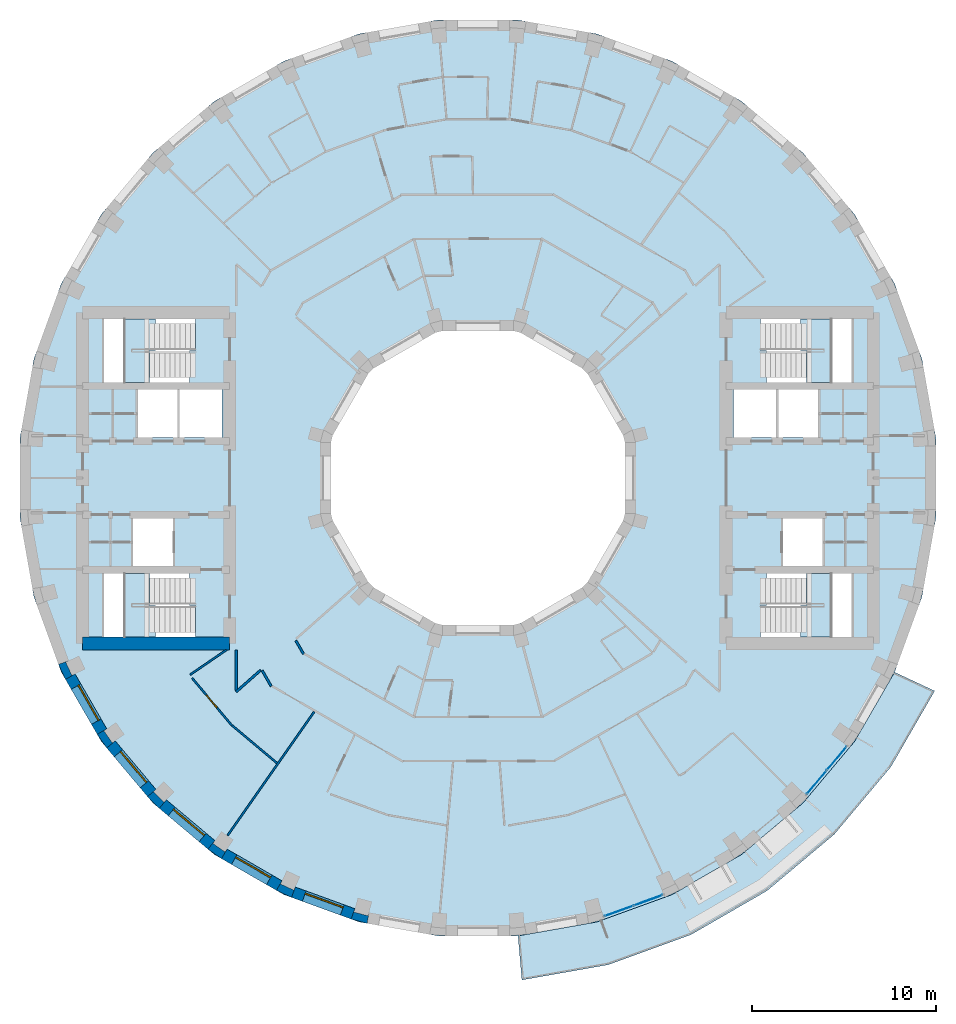
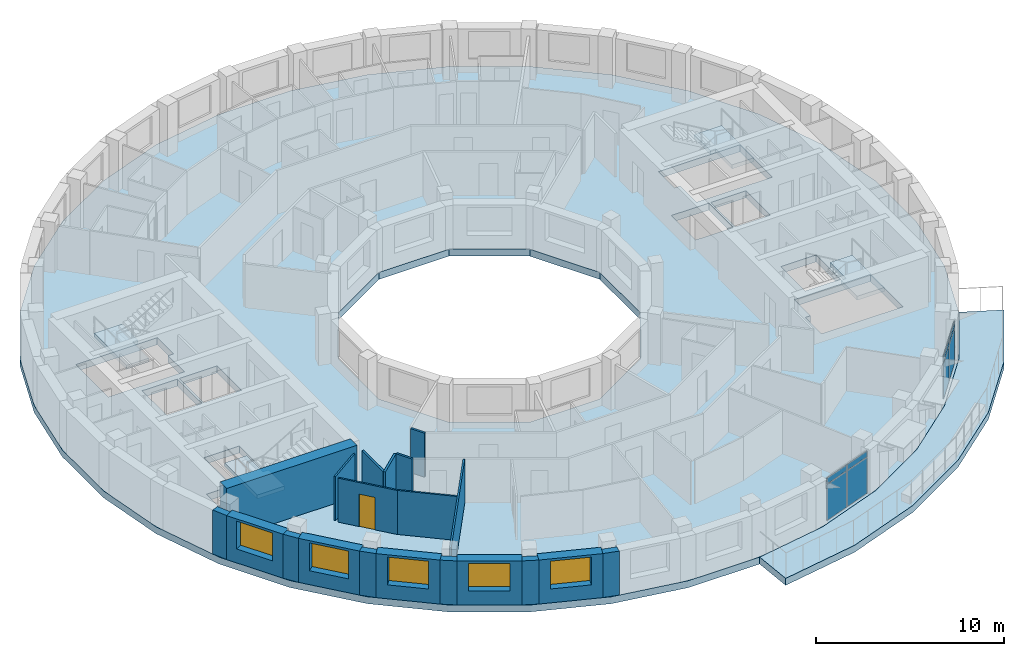
# One storey, part 5 of 15: 20 walls, 8 plates, 6 slabs, 5 windows, 1 door, 6 openings, 6 elements without a shape of their own.
"""IFC4 building model written with IfcOpenShell, lengths in metres."""

import ifcopenshell
import ifcopenshell.guid

model = None  # the IFC model being written
_history = None  # IfcOwnerHistory: only IFC2X3 demands one
_inside = {}  # id of a spatial element -> (the spatial element, [elements in it])
_under = {}  # id of a project, library or spatial element -> (it, [spatial elements below it])
_declared = {}  # id of a project -> (the project, [libraries it declares])
_typed = {}  # id of a type object -> (the type object, [elements of that type])
_made_of = {}  # id of a material, layer set ... -> (it, [elements and type objects made of it])


def new_model(schema):
    """Start an empty IFC model of exactly this schema.

    Asked for "IFC4X3", IfcOpenShell would pick the latest addendum, in which some entities
    have other attributes; the version numbers below select the first issue.
    IFC2X3 requires an IfcOwnerHistory on every rooted entity: one is made here for all.
    """
    global model, _history
    if schema == "IFC4X3":
        model = ifcopenshell.file(schema_version=(4, 3, 0, 0))
    else:
        model = ifcopenshell.file(schema=schema)
    _inside.clear()
    _under.clear()
    _declared.clear()
    _typed.clear()
    _made_of.clear()
    _history = None
    if model.schema == "IFC2X3":
        org = make("IfcOrganization", Name="unknown")
        user = make(
            "IfcPersonAndOrganization",
            ThePerson=make("IfcPerson", FamilyName="unknown"),
            TheOrganization=org,
        )
        app = make(
            "IfcApplication",
            ApplicationDeveloper=org,
            Version="unknown",
            ApplicationFullName="unknown",
            ApplicationIdentifier="unknown",
        )
        _history = make(
            "IfcOwnerHistory",
            OwningUser=user,
            OwningApplication=app,
            ChangeAction="ADDED",
            CreationDate=0,
        )
    return model


def make(cls, **values):
    """One entity of the class cls with the attributes given. An attribute that is None is left unset."""
    return model.create_entity(
        cls, **{name: value for name, value in values.items() if value is not None}
    )


def rooted(cls, **values):
    """An entity with a GlobalId (a new one), such as an element, a storey or a relation."""
    return make(cls, GlobalId=ifcopenshell.guid.new(), OwnerHistory=_history, **values)


def si_unit(unit_type, name, prefix=None):
    """IfcSIUnit, for example si_unit("LENGTHUNIT", "METRE", prefix="MILLI")."""
    return make("IfcSIUnit", UnitType=unit_type, Prefix=prefix, Name=name)


def assignment(units):
    """IfcUnitAssignment: the units of a project."""
    return None if units is None else make("IfcUnitAssignment", Units=units)


def point(xyz):
    """IfcCartesianPoint."""
    return None if xyz is None else make("IfcCartesianPoint", Coordinates=xyz)


def direction(xyz):
    """IfcDirection."""
    return None if xyz is None else make("IfcDirection", DirectionRatios=xyz)


def frame(location, z_axis=None, x_axis=None):
    """IfcAxis2Placement3D, a coordinate frame: its origin and axes. An axis left out is left unset."""
    return make(
        "IfcAxis2Placement3D",
        Location=point(location),
        Axis=direction(z_axis),
        RefDirection=direction(x_axis),
    )


def frame_2d(location, x_axis=None):
    """IfcAxis2Placement2D, a coordinate frame in the plane: its origin and x axis."""
    return make(
        "IfcAxis2Placement2D", Location=point(location), RefDirection=direction(x_axis)
    )


def origin():
    """The frame at (0, 0, 0) with its axes left unset."""
    return frame((0.0, 0.0, 0.0))


def origin_2d():
    """The frame at (0, 0) in the plane with its x axis left unset."""
    return frame_2d((0.0, 0.0))


def place(relative_to, where):
    """IfcLocalPlacement: puts the frame where relative to a parent placement (None: the world)."""
    return make(
        "IfcLocalPlacement", PlacementRelTo=relative_to, RelativePlacement=where
    )


def context(
    kind, dimensions, precision=None, world=None, true_north=None, identifier=None
):
    """IfcGeometricRepresentationContext, for example the 3D "Model" context."""
    return make(
        "IfcGeometricRepresentationContext",
        ContextIdentifier=identifier,
        ContextType=kind,
        CoordinateSpaceDimension=dimensions,
        Precision=precision,
        WorldCoordinateSystem=world,
        TrueNorth=true_north,
    )


def subcontext(parent, identifier, kind, view, scale=None):
    """IfcGeometricRepresentationSubContext, for example "Body" below "Model"."""
    return make(
        "IfcGeometricRepresentationSubContext",
        ContextIdentifier=identifier,
        ContextType=kind,
        ParentContext=parent,
        TargetScale=scale,
        TargetView=view,
    )


def project(units=None, contexts=None):
    """IfcProject with its units and contexts."""
    return rooted(
        "IfcProject",
        Name="project",
        RepresentationContexts=contexts,
        UnitsInContext=assignment(units),
    )


def spatial(cls, under=None, at=None, **own):
    """A site, building, storey or space (cls), placed at a placement, below another one or the project."""
    s = rooted(cls, ObjectPlacement=at, **own)
    if under is not None:
        _under.setdefault(under.id(), (under, []))[1].append(s)
    return s


def polyline(points):
    """IfcPolyline through the points."""
    return make("IfcPolyline", Points=[point(p) for p in points])


def profile(cls, at=None, kind="AREA", **sizes):
    """A parametric profile (cls). Its sizes go by their IFC names, for example OverallWidth=200.0."""
    return make(cls, ProfileType=kind, Position=at, **sizes)


def rectangle(**sizes):
    """IfcRectangleProfileDef."""
    return profile("IfcRectangleProfileDef", **sizes)


def outline(outer, holes=None, kind="AREA"):
    """IfcArbitraryClosedProfileDef: a profile drawn as a closed curve; with holes, ...WithVoids."""
    if holes is None:
        return make("IfcArbitraryClosedProfileDef", ProfileType=kind, OuterCurve=outer)
    return make(
        "IfcArbitraryProfileDefWithVoids",
        ProfileType=kind,
        OuterCurve=outer,
        InnerCurves=holes,
    )


def extrude(swept, where, along, depth):
    """IfcExtrudedAreaSolid: the profile swept, set in the frame where, extruded along a direction by depth."""
    return make(
        "IfcExtrudedAreaSolid",
        SweptArea=swept,
        Position=where,
        ExtrudedDirection=direction(along),
        Depth=depth,
    )


def shape(context_of_items, identifier, shape_type, items):
    """IfcShapeRepresentation: the items that make up one representation, for example the "Body"."""
    return make(
        "IfcShapeRepresentation",
        ContextOfItems=context_of_items,
        RepresentationIdentifier=identifier,
        RepresentationType=shape_type,
        Items=items,
    )


def material(Name=None, Category=None):
    """IfcMaterial."""
    return make("IfcMaterial", Name=Name, Category=Category)


def layer(
    of_material, thickness, ventilated=None, Name=None, Category=None, Priority=None
):
    """IfcMaterialLayer: one layer of a wall or slab, of a material (None: an air gap)."""
    return make(
        "IfcMaterialLayer",
        Material=of_material,
        LayerThickness=thickness,
        IsVentilated=ventilated,
        Name=Name,
        Category=Category,
        Priority=Priority,
    )


def layer_set(layers, Name=None):
    """IfcMaterialLayerSet."""
    return make("IfcMaterialLayerSet", MaterialLayers=layers, LayerSetName=Name)


def made_of(thing, what):
    """Note that an element or type object is made of a material, layer set ...; save() writes the relation."""
    if what is not None:
        _made_of.setdefault(what.id(), (what, []))[1].append(thing)
    return thing


def type_object(cls, material=None, **own):
    """A type object (cls), such as IfcWallType, which elements share."""
    return made_of(rooted(cls, **own), material)


def element(
    cls,
    number,
    at=None,
    inside=None,
    cuts=None,
    type_object=None,
    material=None,
    context=None,
    identifier="Body",
    shape_type=None,
    held_by="IfcProductDefinitionShape",
    body=None,
    shapes=None,
    **own,
):
    """One element of the class cls, such as IfcWall. Its Tag is "e" and its number.

    at: its placement. inside: the storey or other place that contains it. cuts: it is an
    opening in that element (IfcRelVoidsElement). A single representation is given by context,
    identifier, shape_type and body (its items); several are given by shapes. held_by: the class
    of the entity that holds the representations. save() writes the other relations.
    """
    e = rooted(cls, Tag="e%d" % number, ObjectPlacement=at, **own)
    if body is not None:
        shapes = [shape(context, identifier, shape_type, body)]
    if shapes is not None:
        e.Representation = make(held_by, Representations=shapes)
    if inside is not None:
        _inside.setdefault(inside.id(), (inside, []))[1].append(e)
    if cuts is not None:
        rooted(
            "IfcRelVoidsElement", RelatingBuildingElement=cuts, RelatedOpeningElement=e
        )
    if type_object is not None:
        _typed.setdefault(type_object.id(), (type_object, []))[1].append(e)
    return made_of(e, material)


def fill(opening, filler):
    """IfcRelFillsElement: the door or window that sits in an opening."""
    return rooted(
        "IfcRelFillsElement",
        RelatingOpeningElement=opening,
        RelatedBuildingElement=filler,
    )


def aggregate(whole, parts):
    """IfcRelAggregates: a whole, such as a stair, and the parts it consists of."""
    return rooted("IfcRelAggregates", RelatingObject=whole, RelatedObjects=parts)


def save(model, path):
    """Write the relations noted so far, then the file.

    IfcRelAggregates (storeys below a building ...), IfcRelContainedInSpatialStructure (elements
    in a storey), IfcRelDefinesByType, IfcRelAssociatesMaterial and IfcRelDeclares: one each for
    every whole, place, type object, material and project.
    """
    for whole, parts in _under.values():
        aggregate(whole, parts)
    for where, things in _inside.values():
        rooted(
            "IfcRelContainedInSpatialStructure",
            RelatedElements=things,
            RelatingStructure=where,
        )
    for kind, things in _typed.values():
        rooted("IfcRelDefinesByType", RelatedObjects=things, RelatingType=kind)
    for what, things in _made_of.values():
        rooted("IfcRelAssociatesMaterial", RelatedObjects=things, RelatingMaterial=what)
    for by, libraries in _declared.values():
        rooted("IfcRelDeclares", RelatingContext=by, RelatedDefinitions=libraries)
    model.write(path)


model = new_model("IFC4")

# Units and contexts
model_context = context("Model", 3, precision=1e-05, world=origin(), true_north=direction((0.0, 1.0)))
body_context = subcontext(model_context, "Body", "Model", "MODEL_VIEW")
ifc_project = project(units=[si_unit("LENGTHUNIT", "METRE"), si_unit("AREAUNIT", "SQUARE_METRE"), si_unit("VOLUMEUNIT", "CUBIC_METRE"), si_unit("PLANEANGLEUNIT", "RADIAN"), si_unit("MASSUNIT", "GRAM", prefix="KILO")], contexts=[model_context])

# Site, building, storey
site_placement = place(None, origin())
site = spatial("IfcSite", under=ifc_project, at=site_placement, CompositionType="ELEMENT")
building_placement = place(site_placement, origin())
building = spatial("IfcBuilding", under=site, at=building_placement, Name="Saqina Gate Tower", CompositionType="ELEMENT")
storey_placement = place(building_placement, frame((0.0, 0.0, 160.800048828125)))
storey = spatial("IfcBuildingStorey", under=building, at=storey_placement, Name="L45", CompositionType="ELEMENT", Elevation=160.800048828125)

# Curtain wall, plates
ifc_material_1 = material(Name="Aluminium glazing", Category="aluminium")
ifc_layer_1 = layer(ifc_material_1, 0.159912109375)
ifc_layer_set_1 = layer_set([ifc_layer_1], Name="CWT-4")
curtain_wall_type = type_object("IfcCurtainWallType", Name="CWT-4", PredefinedType="NOTDEFINED", material=ifc_layer_set_1)
curtain_wall_1_placement = place(storey_placement, origin())
curtain_wall_1 = element("IfcCurtainWall", 1, at=curtain_wall_1_placement, inside=storey, type_object=curtain_wall_type, Name="Terrace lounge glazing facet 29", PredefinedType="NOTDEFINED")
ifc_material_2 = material(Name="Glass", Category="glass")
ifc_layer_2 = layer(ifc_material_2, 0.028076171875)
ifc_layer_set_2 = layer_set([ifc_layer_2], Name="CWT-4P")
plate_type = type_object("IfcPlateType", Name="CWT-4P", PredefinedType="CURTAIN_PANEL", material=ifc_layer_set_2)
plate_1_placement = place(storey_placement, frame((7.67041015625, -23.5517578125, 0.059814453125), z_axis=(0.0, 0.0, 1.0), x_axis=(0.939690972552, 0.342024671777, 0.0)))
plate_1 = element("IfcPlate", 2, at=plate_1_placement, type_object=plate_type, Name="CW4-29 panel 1.1", PredefinedType="CURTAIN_PANEL", context=body_context, shape_type="SweptSolid", body=[
    extrude(rectangle(XDim=1.634765625, YDim=0.028076171875, at=origin_2d()), origin(), (0.0, 0.0, 1.0), 2.31005859375),
])
plate_2_placement = place(storey_placement, frame((7.67041015625, -23.5517578125, 2.4296875), z_axis=(0.0, 0.0, 1.0), x_axis=(0.939690972552, 0.342024671777, 0.0)))
plate_2 = element("IfcPlate", 3, at=plate_2_placement, type_object=plate_type, Name="CW4-29 panel 1.2", PredefinedType="CURTAIN_PANEL", context=body_context, shape_type="SweptSolid", body=[
    extrude(rectangle(XDim=1.634765625, YDim=0.028076171875, at=origin_2d()), origin(), (0.0, 0.0, 1.0), 0.360107421875),
])
plate_3_placement = place(storey_placement, frame((9.262939453125, -22.97216796875, 0.059814453125), z_axis=(0.0, 0.0, 1.0), x_axis=(0.939690972552, 0.342024671777, 0.0)))
plate_3 = element("IfcPlate", 4, at=plate_3_placement, type_object=plate_type, Name="CW4-29 panel 2.1", PredefinedType="CURTAIN_PANEL", context=body_context, shape_type="SweptSolid", body=[
    extrude(rectangle(XDim=1.634765625, YDim=0.028076171875, at=origin_2d()), origin(), (0.0, 0.0, 1.0), 2.31005859375),
])
plate_4_placement = place(storey_placement, frame((9.262939453125, -22.97216796875, 2.4296875), z_axis=(0.0, 0.0, 1.0), x_axis=(0.939690972552, 0.342024671777, 0.0)))
plate_4 = element("IfcPlate", 5, at=plate_4_placement, type_object=plate_type, Name="CW4-29 panel 2.2", PredefinedType="CURTAIN_PANEL", context=body_context, shape_type="SweptSolid", body=[
    extrude(rectangle(XDim=1.634765625, YDim=0.028076171875, at=origin_2d()), origin(), (0.0, 0.0, 1.0), 0.360107421875),
])
aggregate(curtain_wall_1, [plate_1, plate_2, plate_3, plate_4])

curtain_wall_2_placement = place(storey_placement, origin())
curtain_wall_2 = element("IfcCurtainWall", 6, at=curtain_wall_2_placement, inside=storey, type_object=curtain_wall_type, Name="Terrace lounge glazing facet 32", PredefinedType="NOTDEFINED")
plate_5_placement = place(storey_placement, frame((18.418701171875, -16.561279296875, 0.059814453125), z_axis=(0.0, 0.0, 1.0), x_axis=(0.642789549658, 0.766042815286, 0.0)))
plate_5 = element("IfcPlate", 7, at=plate_5_placement, type_object=plate_type, Name="CW4-32 panel 1.1", PredefinedType="CURTAIN_PANEL", context=body_context, shape_type="SweptSolid", body=[
    extrude(rectangle(XDim=1.635009765625, YDim=0.028076171875, at=origin_2d()), origin(), (0.0, 0.0, 1.0), 2.31005859375),
])
plate_6_placement = place(storey_placement, frame((18.418701171875, -16.561279296875, 2.4296875), z_axis=(0.0, 0.0, 1.0), x_axis=(0.642789549658, 0.766042815286, 0.0)))
plate_6 = element("IfcPlate", 8, at=plate_6_placement, type_object=plate_type, Name="CW4-32 panel 1.2", PredefinedType="CURTAIN_PANEL", context=body_context, shape_type="SweptSolid", body=[
    extrude(rectangle(XDim=1.635009765625, YDim=0.028076171875, at=origin_2d()), origin(), (0.0, 0.0, 1.0), 0.360107421875),
])
plate_7_placement = place(storey_placement, frame((19.508056640625, -15.262939453125, 0.059814453125), z_axis=(0.0, 0.0, 1.0), x_axis=(0.642789549658, 0.766042815286, 0.0)))
plate_7 = element("IfcPlate", 9, at=plate_7_placement, type_object=plate_type, Name="CW4-32 panel 2.1", PredefinedType="CURTAIN_PANEL", context=body_context, shape_type="SweptSolid", body=[
    extrude(rectangle(XDim=1.635009765625, YDim=0.028076171875, at=origin_2d()), origin(), (0.0, 0.0, 1.0), 2.31005859375),
])
plate_8_placement = place(storey_placement, frame((19.508056640625, -15.262939453125, 2.4296875), z_axis=(0.0, 0.0, 1.0), x_axis=(0.642789549658, 0.766042815286, 0.0)))
plate_8 = element("IfcPlate", 10, at=plate_8_placement, type_object=plate_type, Name="CW4-32 panel 2.2", PredefinedType="CURTAIN_PANEL", context=body_context, shape_type="SweptSolid", body=[
    extrude(rectangle(XDim=1.635009765625, YDim=0.028076171875, at=origin_2d()), origin(), (0.0, 0.0, 1.0), 0.360107421875),
])
aggregate(curtain_wall_2, [plate_5, plate_6, plate_7, plate_8])

# Stair, slab
ifc_material_3 = material(Name="Concrete C40/50", Category="concrete")
stair_type = type_object("IfcStairType", Name="EXIT STAIR", PredefinedType="HALF_TURN_STAIR", material=ifc_material_3)
stair_1_placement = place(storey_placement, origin())
stair_1 = element("IfcStair", 11, at=stair_1_placement, inside=storey, type_object=stair_type, Name="EXIT STAIR 1", PredefinedType="HALF_TURN_STAIR")
ifc_material_4 = material(Name="Concrete C40/50", Category="concrete")
ifc_layer_3 = layer(ifc_material_4, 0.25)
ifc_layer_set_3 = layer_set([ifc_layer_3], Name="Concrete C40/50")
slab_type_1 = type_object("IfcSlabType", Name="EXIT STAIR LANDING", PredefinedType="LANDING", material=ifc_layer_set_3)
slab_1_placement = place(storey_placement, frame((0.0, 0.0, 1.39990234375)))
slab_1 = element("IfcSlab", 12, at=slab_1_placement, type_object=slab_type_1, Name="EXIT STAIR 1 LANDING 1", PredefinedType="LANDING", context=body_context, shape_type="SweptSolid", body=[
    extrude(outline(polyline([(19.219970703125, 8.64990234375), (19.219970703125, 5.199951171875), (17.864990234375, 5.199951171875), (17.864990234375, 6.925048828125), (17.534423828125, 6.925048828125), (17.534423828125, 8.64990234375), (17.864990234375, 8.64990234375), (17.8701171875, 8.64990234375), (19.219970703125, 8.64990234375)])), origin(), (0.0, 0.0, 1.0), 0.25),
])
aggregate(stair_1, [slab_1])

stair_2_placement = place(storey_placement, origin())
stair_2 = element("IfcStair", 13, at=stair_2_placement, inside=storey, type_object=stair_type, Name="EXIT STAIR 2", PredefinedType="HALF_TURN_STAIR")
slab_2_placement = place(storey_placement, frame((0.0, 0.0, 1.39990234375)))
slab_2 = element("IfcSlab", 14, at=slab_2_placement, type_object=slab_type_1, Name="EXIT STAIR 2 LANDING 1", PredefinedType="LANDING", context=body_context, shape_type="SweptSolid", body=[
    extrude(outline(polyline([(17.534423828125, -8.64990234375), (17.534423828125, -6.925048828125), (17.864990234375, -6.925048828125), (17.864990234375, -5.199951171875), (19.219970703125, -5.199951171875), (19.219970703125, -8.64990234375), (17.8701171875, -8.64990234375), (17.864990234375, -8.64990234375), (17.534423828125, -8.64990234375)])), origin(), (0.0, 0.0, 1.0), 0.25),
])
aggregate(stair_2, [slab_2])

stair_3_placement = place(storey_placement, origin())
stair_3 = element("IfcStair", 15, at=stair_3_placement, inside=storey, type_object=stair_type, Name="EXIT STAIR 3", PredefinedType="HALF_TURN_STAIR")
slab_3_placement = place(storey_placement, frame((0.0, 0.0, 1.39990234375)))
slab_3 = element("IfcSlab", 16, at=slab_3_placement, type_object=slab_type_1, Name="EXIT STAIR 3 LANDING 1", PredefinedType="LANDING", context=body_context, shape_type="SweptSolid", body=[
    extrude(outline(polyline([(-17.864990234375, 5.199951171875), (-19.219970703125, 5.199951171875), (-19.219970703125, 8.64990234375), (-17.8701171875, 8.64990234375), (-17.864990234375, 8.64990234375), (-17.534423828125, 8.64990234375), (-17.534423828125, 6.925048828125), (-17.864990234375, 6.925048828125), (-17.864990234375, 5.199951171875)])), origin(), (0.0, 0.0, 1.0), 0.25),
])
aggregate(stair_3, [slab_3])

stair_4_placement = place(storey_placement, origin())
stair_4 = element("IfcStair", 17, at=stair_4_placement, inside=storey, type_object=stair_type, Name="EXIT STAIR 4", PredefinedType="HALF_TURN_STAIR")
slab_4_placement = place(storey_placement, frame((0.0, 0.0, 1.39990234375)))
slab_4 = element("IfcSlab", 18, at=slab_4_placement, type_object=slab_type_1, Name="EXIT STAIR 4 LANDING 1", PredefinedType="LANDING", context=body_context, shape_type="SweptSolid", body=[
    extrude(outline(polyline([(-17.534423828125, -6.925048828125), (-17.534423828125, -8.64990234375), (-17.864990234375, -8.64990234375), (-17.8701171875, -8.64990234375), (-19.219970703125, -8.64990234375), (-19.219970703125, -5.199951171875), (-17.864990234375, -5.199951171875), (-17.864990234375, -6.925048828125), (-17.534423828125, -6.925048828125)])), origin(), (0.0, 0.0, 1.0), 0.25),
])
aggregate(stair_4, [slab_4])

# Slabs
ifc_material_5 = material(Name="Concrete C40/50", Category="concrete")
ifc_layer_4 = layer(ifc_material_5, 0.449951171875)
ifc_layer_set_4 = layer_set([ifc_layer_4], Name="Concrete C40/50")
slab_type_2 = type_object("IfcSlabType", Name="STR-POST-TENSIONED FLAT PLATE FLOOR-450", PredefinedType="FLOOR", material=ifc_layer_set_4)
slab_5_placement = place(storey_placement, frame((0.0, 0.0, -0.449951171875)))
element("IfcSlab", 19, at=slab_5_placement, inside=storey, type_object=slab_type_2, Name="L45-SLB01", PredefinedType="FLOOR", context=body_context, shape_type="SweptSolid", body=[
    extrude(outline(polyline([(24.148193359375, -6.470458984375), (24.90478515625, -2.178955078125), (24.90478515625, 2.178955078125), (24.148193359375, 6.470458984375), (22.65771484375, 10.5654296875), (20.478759765625, 14.33935546875), (17.677734375, 17.677734375), (14.33935546875, 20.478759765625), (10.5654296875, 22.65771484375), (6.470458984375, 24.148193359375), (2.178955078125, 24.90478515625), (-2.178955078125, 24.90478515625), (-6.470458984375, 24.148193359375), (-10.5654296875, 22.65771484375), (-14.33935546875, 20.478759765625), (-17.677734375, 17.677734375), (-20.478759765625, 14.33935546875), (-22.65771484375, 10.5654296875), (-24.148193359375, 6.470458984375), (-24.90478515625, 2.178955078125), (-24.90478515625, -2.178955078125), (-24.148193359375, -6.470458984375), (-22.65771484375, -10.5654296875), (-20.478759765625, -14.33935546875), (-17.677734375, -17.677734375), (-14.33935546875, -20.478759765625), (-10.5654296875, -22.65771484375), (-6.470458984375, -24.148193359375), (-2.178955078125, -24.90478515625), (2.178955078125, -24.90478515625), (6.470458984375, -24.148193359375), (10.5654296875, -22.65771484375), (14.33935546875, -20.478759765625), (17.677734375, -17.677734375), (20.478759765625, -14.33935546875), (22.65771484375, -10.5654296875), (24.148193359375, -6.470458984375)]), holes=[polyline([(2.1435546875, 8.0), (5.8564453125, 5.8564453125), (8.0, 2.1435546875), (8.0, -2.1435546875), (5.8564453125, -5.8564453125), (2.1435546875, -8.0), (-2.1435546875, -8.0), (-5.8564453125, -5.8564453125), (-8.0, -2.1435546875), (-8.0, 2.1435546875), (-5.8564453125, 5.8564453125), (-2.1435546875, 8.0), (2.1435546875, 8.0)]), polyline([(-15.35498046875, -8.64990234375), (-20.340087890625, -8.64990234375), (-20.340087890625, -6.925048828125), (-20.340087890625, -5.199951171875), (-15.685546875, -5.199951171875), (-15.685546875, -6.925048828125), (-15.35498046875, -6.925048828125), (-15.35498046875, -8.64990234375)]), polyline([(-16.590087890625, -2.199951171875), (-16.590087890625, -4.800048828125), (-18.75, -4.800048828125), (-18.75, -2.199951171875), (-16.590087890625, -2.199951171875)]), polyline([(-16.340087890625, 4.800048828125), (-16.340087890625, 2.199951171875), (-18.5, 2.199951171875), (-18.5, 4.800048828125), (-16.340087890625, 4.800048828125)]), polyline([(-13.909912109375, 4.800048828125), (-13.909912109375, 2.199951171875), (-16.219970703125, 2.199951171875), (-16.219970703125, 4.800048828125), (-13.909912109375, 4.800048828125)]), polyline([(-20.340087890625, 6.925048828125), (-20.340087890625, 8.64990234375), (-15.35498046875, 8.64990234375), (-15.35498046875, 6.925048828125), (-15.685546875, 6.925048828125), (-15.685546875, 5.199951171875), (-20.340087890625, 5.199951171875), (-20.340087890625, 6.925048828125)]), polyline([(15.35498046875, -8.64990234375), (15.35498046875, -6.925048828125), (15.685546875, -6.925048828125), (15.685546875, -5.199951171875), (20.340087890625, -5.199951171875), (20.340087890625, -6.925048828125), (20.340087890625, -8.64990234375), (15.35498046875, -8.64990234375)]), polyline([(18.75, -2.199951171875), (18.75, -4.800048828125), (16.590087890625, -4.800048828125), (16.590087890625, -2.199951171875), (18.75, -2.199951171875)]), polyline([(16.219970703125, 4.800048828125), (16.219970703125, 2.199951171875), (13.909912109375, 2.199951171875), (13.909912109375, 4.800048828125), (16.219970703125, 4.800048828125)]), polyline([(18.5, 4.800048828125), (18.5, 2.199951171875), (16.340087890625, 2.199951171875), (16.340087890625, 4.800048828125), (18.5, 4.800048828125)]), polyline([(15.685546875, 6.925048828125), (15.35498046875, 6.925048828125), (15.35498046875, 8.64990234375), (20.340087890625, 8.64990234375), (20.340087890625, 6.925048828125), (20.340087890625, 5.199951171875), (15.685546875, 5.199951171875), (15.685546875, 6.925048828125)])]), origin(), (0.0, 0.0, 1.0), 0.449951171875),
])
ifc_material_6 = material(Name="Concrete C40/50", Category="concrete")
ifc_layer_5 = layer(ifc_material_6, 0.449951171875)
ifc_layer_set_5 = layer_set([ifc_layer_5], Name="Concrete C40/50")
slab_type_3 = type_object("IfcSlabType", Name="STR-POST-TENSIONED FLAT PLATE TERRACE-450", PredefinedType="FLOOR", material=ifc_layer_set_5)
slab_6_placement = place(storey_placement, frame((0.0, 0.0, -0.449951171875)))
element("IfcSlab", 20, at=slab_6_placement, inside=storey, type_object=slab_type_3, Name="L45-TRS01", PredefinedType="FLOOR", context=body_context, shape_type="SweptSolid", body=[
    extrude(outline(polyline([(2.178955078125, -24.90478515625), (6.470458984375, -24.148193359375), (10.5654296875, -22.65771484375), (14.33935546875, -20.478759765625), (17.677734375, -17.677734375), (20.478759765625, -14.33935546875), (22.65771484375, -10.5654296875), (24.841064453125, -11.58349609375), (22.452392578125, -15.72119140625), (19.381103515625, -19.381103515625), (15.72119140625, -22.452392578125), (11.58349609375, -24.841064453125), (7.093994140625, -26.475341796875), (2.388916015625, -27.304931640625), (2.178955078125, -24.90478515625)])), origin(), (0.0, 0.0, 1.0), 0.449951171875),
])

# Walls
ifc_material_7 = material(Name="Brick masonry (buff)", Category="masonry")
wall_type_1 = type_object("IfcWallType", Name="BRICK PIER COPING BUFF", PredefinedType="SOLIDWALL", material=ifc_material_7)
wall_1_placement = place(storey_placement, origin())
element("IfcWall", 21, at=wall_1_placement, inside=storey, type_object=wall_type_1, Name="Pier cap L45 column 21", PredefinedType="SOLIDWALL", context=body_context, shape_type="SweptSolid", body=[
    extrude(outline(polyline([(-22.4306640625, -10.958740234375), (-21.9111328125, -10.65869140625), (-22.080810546875, -10.73779296875), (-22.4189453125, -10.0126953125), (-22.249267578125, -9.93359375), (-22.81298828125, -10.138916015625), (-22.4306640625, -10.958740234375)])), origin(), (0.0, 0.0, 1.0), 2.849853515625),
])
wall_2_placement = place(storey_placement, origin())
element("IfcWall", 22, at=wall_2_placement, inside=storey, type_object=wall_type_1, Name="Pier cap L45 column 22", PredefinedType="SOLIDWALL", context=body_context, shape_type="SweptSolid", body=[
    extrude(outline(polyline([(-20.705810546875, -13.9462890625), (-20.18701171875, -14.687255859375), (-19.727294921875, -14.301513671875), (-19.880859375, -14.408935546875), (-20.339599609375, -13.753662109375), (-20.186279296875, -13.646240234375), (-20.705810546875, -13.9462890625)])), origin(), (0.0, 0.0, 1.0), 2.849853515625),
])
wall_3_placement = place(storey_placement, origin())
element("IfcWall", 23, at=wall_3_placement, inside=storey, type_object=wall_type_1, Name="Pier cap L45 column 23", PredefinedType="SOLIDWALL", context=body_context, shape_type="SweptSolid", body=[
    extrude(outline(polyline([(-17.329833984375, -17.969482421875), (-16.944091796875, -17.510009765625), (-17.07666015625, -17.642333984375), (-17.642333984375, -17.07666015625), (-17.510009765625, -16.944091796875), (-17.969482421875, -17.329833984375), (-17.329833984375, -17.969482421875)])), origin(), (0.0, 0.0, 1.0), 2.849853515625),
])
wall_4_placement = place(storey_placement, origin())
element("IfcWall", 24, at=wall_4_placement, inside=storey, type_object=wall_type_1, Name="Pier cap L45 column 24", PredefinedType="SOLIDWALL", context=body_context, shape_type="SweptSolid", body=[
    extrude(outline(polyline([(-14.687255859375, -20.18701171875), (-13.9462890625, -20.705810546875), (-13.646240234375, -20.186279296875), (-13.753662109375, -20.339599609375), (-14.408935546875, -19.880859375), (-14.301513671875, -19.727294921875), (-14.687255859375, -20.18701171875)])), origin(), (0.0, 0.0, 1.0), 2.849853515625),
])
wall_5_placement = place(storey_placement, origin())
element("IfcWall", 25, at=wall_5_placement, inside=storey, type_object=wall_type_1, Name="Pier cap L45 column 25", PredefinedType="SOLIDWALL", context=body_context, shape_type="SweptSolid", body=[
    extrude(outline(polyline([(-10.138916015625, -22.81298828125), (-9.93359375, -22.249267578125), (-10.0126953125, -22.4189453125), (-10.73779296875, -22.080810546875), (-10.65869140625, -21.9111328125), (-10.958740234375, -22.4306640625), (-10.138916015625, -22.81298828125)])), origin(), (0.0, 0.0, 1.0), 2.849853515625),
])
wall_6_placement = place(storey_placement, origin())
element("IfcWall", 26, at=wall_6_placement, inside=storey, type_object=wall_type_1, Name="Pier cap L45 column 26", PredefinedType="SOLIDWALL", context=body_context, shape_type="SweptSolid", body=[
    extrude(outline(polyline([(-6.0234375, -24.22705078125), (-5.919189453125, -23.635986328125), (-5.967529296875, -23.81689453125), (-6.740478515625, -23.610107421875), (-6.69189453125, -23.428955078125), (-6.897216796875, -23.992919921875), (-6.0234375, -24.22705078125)])), origin(), (0.0, 0.0, 1.0), 2.849853515625),
])

# Wall, opening, window
ifc_material_8 = material(Name="Brick masonry (buff)", Category="masonry")
ifc_layer_6 = layer(ifc_material_8, 0.60009765625)
ifc_layer_set_6 = layer_set([ifc_layer_6], Name="FW-BRICK-BUFF")
wall_type_2 = type_object("IfcWallType", Name="FW-BRICK-BUFF", PredefinedType="SOLIDWALL", material=ifc_layer_set_6)
wall_7_placement = place(storey_placement, frame((-22.1708984375, -10.80859375, 0.0), z_axis=(0.0, 0.0, 1.0), x_axis=(0.499998129301, -0.86602648383, 0.0)))
wall_7 = element("IfcWall", 27, at=wall_7_placement, inside=storey, type_object=wall_type_2, Name="Facade wall L45 facet 21", PredefinedType="SOLIDWALL", context=body_context, shape_type="SweptSolid", body=[
    extrude(rectangle(XDim=3.44970703125, YDim=0.60009765625, at=frame_2d((1.724853515625, 0.0))), origin(), (0.0, 0.0, 1.0), 2.849853515625),
])
opening_1_placement = place(wall_7_placement, frame((0.625, 0.0, 0.89990234375)))
opening_1 = element("IfcOpeningElement", 28, at=opening_1_placement, cuts=wall_7, Name="Opening G13-W14", PredefinedType="OPENING", context=body_context, shape_type="SweptSolid", body=[
    extrude(rectangle(XDim=2.199951171875, YDim=1.800048828125, at=frame_2d((1.10009765625, 0.89990234375))), frame((0.0, 0.31201171875, 0.0), z_axis=(0.0, -1.0, 0.0), x_axis=(1.0, 0.0, 0.0)), (0.0, 0.0, 1.0), 0.6240234375),
])
ifc_material_9 = material(Name="Aluminium glazing", Category="aluminium")
window_type = type_object("IfcWindowType", Name="WN-C", PartitioningType="SINGLE_PANEL", PredefinedType="WINDOW", material=ifc_material_9)
window_1_placement = place(opening_1_placement, origin())
window_1 = element("IfcWindow", 29, at=window_1_placement, inside=storey, type_object=window_type, Name="Window L45 facet 21", OverallHeight=1.800048828125, OverallWidth=2.199951171875, PartitioningType="SINGLE_PANEL", PredefinedType="WINDOW", context=body_context, shape_type="SweptSolid", body=[
    extrude(rectangle(XDim=2.199951171875, YDim=1.800048828125, at=frame_2d((1.10009765625, 0.89990234375))), frame((0.0, 0.179931640625, 0.0), z_axis=(0.0, -1.0, 0.0), x_axis=(1.0, 0.0, 0.0)), (0.0, 0.0, 1.0), 0.06005859375),
])
fill(opening_1, window_1)

wall_8_placement = place(storey_placement, frame((-19.95703125, -14.494384765625, 0.0), z_axis=(0.0, 0.0, 1.0), x_axis=(0.642770398358, -0.766058884809, 0.0)))
wall_8 = element("IfcWall", 30, at=wall_8_placement, inside=storey, type_object=wall_type_2, Name="Facade wall L45 facet 22", PredefinedType="SOLIDWALL", context=body_context, shape_type="SweptSolid", body=[
    extrude(rectangle(XDim=3.449462890625, YDim=0.60009765625, at=frame_2d((1.724609375, 0.0))), origin(), (0.0, 0.0, 1.0), 2.849853515625),
])
opening_2_placement = place(wall_8_placement, frame((0.625, 0.0, 0.89990234375)))
opening_2 = element("IfcOpeningElement", 31, at=opening_2_placement, cuts=wall_8, Name="Opening G13-W15", PredefinedType="OPENING", context=body_context, shape_type="SweptSolid", body=[
    extrude(rectangle(XDim=2.199951171875, YDim=1.800048828125, at=frame_2d((1.10009765625, 0.89990234375))), frame((0.0, 0.31201171875, 0.0), z_axis=(0.0, -1.0, 0.0), x_axis=(1.0, 0.0, 0.0)), (0.0, 0.0, 1.0), 0.6240234375),
])
window_2_placement = place(opening_2_placement, origin())
window_2 = element("IfcWindow", 32, at=window_2_placement, inside=storey, type_object=window_type, Name="Window L45 facet 22", OverallHeight=1.800048828125, OverallWidth=2.199951171875, PartitioningType="SINGLE_PANEL", PredefinedType="WINDOW", context=body_context, shape_type="SweptSolid", body=[
    extrude(rectangle(XDim=2.199951171875, YDim=1.800048828125, at=frame_2d((1.10009765625, 0.89990234375))), frame((0.0, 0.179931640625, 0.0), z_axis=(0.0, -1.0, 0.0), x_axis=(1.0, 0.0, 0.0)), (0.0, 0.0, 1.0), 0.06005859375),
])
fill(opening_2, window_2)

wall_9_placement = place(storey_placement, frame((-17.136962890625, -17.73974609375, 0.0), z_axis=(0.0, 0.0, 1.0), x_axis=(0.766058884809, -0.642770398358, 0.0)))
wall_9 = element("IfcWall", 33, at=wall_9_placement, inside=storey, type_object=wall_type_2, Name="Facade wall L45 facet 23", PredefinedType="SOLIDWALL", context=body_context, shape_type="SweptSolid", body=[
    extrude(rectangle(XDim=3.449462890625, YDim=0.60009765625, at=frame_2d((1.724609375, 0.0))), origin(), (0.0, 0.0, 1.0), 2.849853515625),
])
opening_3_placement = place(wall_9_placement, frame((0.625, 0.0, 0.89990234375)))
opening_3 = element("IfcOpeningElement", 34, at=opening_3_placement, cuts=wall_9, Name="Opening G13-W16", PredefinedType="OPENING", context=body_context, shape_type="SweptSolid", body=[
    extrude(rectangle(XDim=2.199951171875, YDim=1.800048828125, at=frame_2d((1.10009765625, 0.89990234375))), frame((0.0, 0.31201171875, 0.0), z_axis=(0.0, -1.0, 0.0), x_axis=(1.0, 0.0, 0.0)), (0.0, 0.0, 1.0), 0.6240234375),
])
window_3_placement = place(opening_3_placement, origin())
window_3 = element("IfcWindow", 35, at=window_3_placement, inside=storey, type_object=window_type, Name="Window L45 facet 23", OverallHeight=1.800048828125, OverallWidth=2.199951171875, PartitioningType="SINGLE_PANEL", PredefinedType="WINDOW", context=body_context, shape_type="SweptSolid", body=[
    extrude(rectangle(XDim=2.199951171875, YDim=1.800048828125, at=frame_2d((1.10009765625, 0.89990234375))), frame((0.0, 0.179931640625, 0.0), z_axis=(0.0, -1.0, 0.0), x_axis=(1.0, 0.0, 0.0)), (0.0, 0.0, 1.0), 0.06005859375),
])
fill(opening_3, window_3)

wall_10_placement = place(storey_placement, frame((-13.796142578125, -20.446044921875, 0.0), z_axis=(0.0, 0.0, 1.0), x_axis=(0.86602648383, -0.499998129301, 0.0)))
wall_10 = element("IfcWall", 36, at=wall_10_placement, inside=storey, type_object=wall_type_2, Name="Facade wall L45 facet 24", PredefinedType="SOLIDWALL", context=body_context, shape_type="SweptSolid", body=[
    extrude(rectangle(XDim=3.44970703125, YDim=0.60009765625, at=frame_2d((1.724853515625, 0.0))), origin(), (0.0, 0.0, 1.0), 2.849853515625),
])
opening_4_placement = place(wall_10_placement, frame((0.625, 0.0, 0.89990234375)))
opening_4 = element("IfcOpeningElement", 37, at=opening_4_placement, cuts=wall_10, Name="Opening G13-W17", PredefinedType="OPENING", context=body_context, shape_type="SweptSolid", body=[
    extrude(rectangle(XDim=2.199951171875, YDim=1.800048828125, at=frame_2d((1.10009765625, 0.89990234375))), frame((0.0, 0.31201171875, 0.0), z_axis=(0.0, -1.0, 0.0), x_axis=(1.0, 0.0, 0.0)), (0.0, 0.0, 1.0), 0.6240234375),
])
window_4_placement = place(opening_4_placement, origin())
window_4 = element("IfcWindow", 38, at=window_4_placement, inside=storey, type_object=window_type, Name="Window L45 facet 24", OverallHeight=1.800048828125, OverallWidth=2.199951171875, PartitioningType="SINGLE_PANEL", PredefinedType="WINDOW", context=body_context, shape_type="SweptSolid", body=[
    extrude(rectangle(XDim=2.199951171875, YDim=1.800048828125, at=frame_2d((1.10009765625, 0.89990234375))), frame((0.0, 0.179931640625, 0.0), z_axis=(0.0, -1.0, 0.0), x_axis=(1.0, 0.0, 0.0)), (0.0, 0.0, 1.0), 0.06005859375),
])
fill(opening_4, window_4)

wall_11_placement = place(storey_placement, frame((-10.0361328125, -22.531005859375, 0.0), z_axis=(0.0, 0.0, 1.0), x_axis=(0.93968799822, -0.342032843455, 0.0)))
wall_11 = element("IfcWall", 39, at=wall_11_placement, inside=storey, type_object=wall_type_2, Name="Facade wall L45 facet 25", PredefinedType="SOLIDWALL", context=body_context, shape_type="SweptSolid", body=[
    extrude(rectangle(XDim=3.44970703125, YDim=0.60009765625, at=frame_2d((1.724853515625, 0.0))), origin(), (0.0, 0.0, 1.0), 2.849853515625),
])
opening_5_placement = place(wall_11_placement, frame((0.625, 0.0, 0.89990234375)))
opening_5 = element("IfcOpeningElement", 40, at=opening_5_placement, cuts=wall_11, Name="Opening G13-W18", PredefinedType="OPENING", context=body_context, shape_type="SweptSolid", body=[
    extrude(rectangle(XDim=2.199951171875, YDim=1.800048828125, at=frame_2d((1.10009765625, 0.89990234375))), frame((0.0, 0.31201171875, 0.0), z_axis=(0.0, -1.0, 0.0), x_axis=(1.0, 0.0, 0.0)), (0.0, 0.0, 1.0), 0.6240234375),
])
window_5_placement = place(opening_5_placement, origin())
window_5 = element("IfcWindow", 41, at=window_5_placement, inside=storey, type_object=window_type, Name="Window L45 facet 25", OverallHeight=1.800048828125, OverallWidth=2.199951171875, PartitioningType="SINGLE_PANEL", PredefinedType="WINDOW", context=body_context, shape_type="SweptSolid", body=[
    extrude(rectangle(XDim=2.199951171875, YDim=1.800048828125, at=frame_2d((1.10009765625, 0.89990234375))), frame((0.0, 0.179931640625, 0.0), z_axis=(0.0, -1.0, 0.0), x_axis=(1.0, 0.0, 0.0)), (0.0, 0.0, 1.0), 0.06005859375),
])
fill(opening_5, window_5)

# Wall, opening, door
ifc_material_10 = material(Name="Gypsum board on steel studs, 100 mm", Category="steel")
ifc_layer_7 = layer(ifc_material_10, 0.10009765625)
ifc_layer_set_7 = layer_set([ifc_layer_7], Name="PARTITION 100")
wall_type_3 = type_object("IfcWallType", Name="PARTITION 100", PredefinedType="PARTITIONING", material=ifc_layer_set_7)
wall_12_placement = place(storey_placement, frame((-15.544921875, -10.885009765625, 0.0), z_axis=(0.0, 0.0, 1.0), x_axis=(0.642690725871, -0.766125727854, 0.0)))
wall_12 = element("IfcWall", 42, at=wall_12_placement, inside=storey, type_object=wall_type_3, Name="PARTITION PW3-16", PredefinedType="PARTITIONING", context=body_context, shape_type="SweptSolid", body=[
    extrude(rectangle(XDim=3.3583984375, YDim=0.10009765625, at=frame_2d((1.67919921875, 0.0))), origin(), (0.0, 0.0, 1.0), 2.849853515625),
])
opening_6_placement = place(wall_12_placement, frame((1.203857421875, 0.0, 0.0)))
opening_6 = element("IfcOpeningElement", 43, at=opening_6_placement, cuts=wall_12, Name="Opening G13-D27", PredefinedType="OPENING", context=body_context, shape_type="SweptSolid", body=[
    extrude(rectangle(XDim=0.89990234375, YDim=2.10009765625, at=frame_2d((0.449951171875, 1.050048828125))), frame((0.0, 0.06201171875, 0.0), z_axis=(0.0, -1.0, 0.0), x_axis=(1.0, 0.0, 0.0)), (0.0, 0.0, 1.0), 0.1240234375),
])
ifc_material_11 = material(Name="Timber door leaf, 900 mm", Category="wood")
door_type = type_object("IfcDoorType", Name="DOOR 900 TIMBER", OperationType="SINGLE_SWING_LEFT", PredefinedType="DOOR", material=ifc_material_11)
door_placement = place(opening_6_placement, frame((0.89990234375, 0.0, 0.0), z_axis=(0.0, 0.0, 1.0), x_axis=(-1.0, 0.0, 0.0)))
door = element("IfcDoor", 44, at=door_placement, inside=storey, type_object=door_type, Name="DOOR G13-D27", OperationType="SINGLE_SWING_RIGHT", OverallHeight=2.10009765625, OverallWidth=0.89990234375, PredefinedType="DOOR", context=body_context, shape_type="SweptSolid", body=[
    extrude(rectangle(XDim=0.89990234375, YDim=2.10009765625, at=frame_2d((0.449951171875, 1.050048828125))), frame((0.0, 0.02490234375, 0.0), z_axis=(0.0, -1.0, 0.0), x_axis=(1.0, 0.0, 0.0)), (0.0, 0.0, 1.0), 0.050048828125),
])
fill(opening_6, door)

# Walls
wall_13_placement = place(storey_placement, frame((-13.380615234375, -13.451171875, 0.0), z_axis=(0.0, 0.0, 1.0), x_axis=(0.766064597799, -0.642763589509, 0.0)))
element("IfcWall", 45, at=wall_13_placement, inside=storey, type_object=wall_type_3, Name="PARTITION PW3-21", PredefinedType="PARTITIONING", context=body_context, shape_type="SweptSolid", body=[
    extrude(rectangle(XDim=3.207763671875, YDim=0.10009765625, at=frame_2d((1.60400390625, 0.0))), origin(), (0.0, 0.0, 1.0), 2.849853515625),
])
wall_14_placement = place(storey_placement, frame((-15.64990234375, -10.701904296875, 0.0), z_axis=(0.0, 0.0, 1.0), x_axis=(0.82545226585, 0.564471927382, 0.0)))
element("IfcWall", 46, at=wall_14_placement, inside=storey, type_object=wall_type_3, Name="PARTITION PW3-47", PredefinedType="PARTITIONING", context=body_context, shape_type="SweptSolid", body=[
    extrude(rectangle(XDim=2.394775390625, YDim=0.10009765625, at=frame_2d((1.197265625, 0.0))), origin(), (0.0, 0.0, 1.0), 2.849853515625),
])
wall_15_placement = place(storey_placement, frame((-13.616943359375, -19.446533203125, 0.0), z_axis=(0.0, 0.0, 1.0), x_axis=(0.573585951544, 0.819145381597, 0.0)))
element("IfcWall", 47, at=wall_15_placement, inside=storey, type_object=wall_type_3, Name="PARTITION PW3-54", PredefinedType="PARTITIONING", context=body_context, shape_type="SweptSolid", body=[
    extrude(rectangle(XDim=8.21826171875, YDim=0.10009765625, at=frame_2d((4.109130859375, 0.0))), origin(), (0.0, 0.0, 1.0), 2.849853515625),
])
ifc_material_12 = material(Name="Gypsum board on steel studs, 125 mm, fire rated", Category="steel")
ifc_layer_8 = layer(ifc_material_12, 0.125)
ifc_layer_set_8 = layer_set([ifc_layer_8], Name="PARTITION EI 30 125")
wall_type_4 = type_object("IfcWallType", Name="PARTITION EI 30 125", PredefinedType="PARTITIONING", material=ifc_layer_set_8)
wall_16_placement = place(storey_placement, frame((-11.73876953125, -10.46728515625, 0.0), z_axis=(0.0, 0.0, 1.0), x_axis=(0.499097354853, -0.866545919371, 0.0)))
element("IfcWall", 48, at=wall_16_placement, inside=storey, type_object=wall_type_4, Name="PARTITION PW1-01", PredefinedType="PARTITIONING", context=body_context, shape_type="SweptSolid", body=[
    extrude(rectangle(XDim=1.003173828125, YDim=0.125, at=frame_2d((0.50146484375, 0.0))), origin(), (0.0, 0.0, 1.0), 2.849853515625),
])
wall_17_placement = place(storey_placement, frame((-9.90478515625, -8.84521484375, 0.0), z_axis=(0.0, 0.0, 1.0), x_axis=(0.499855389907, -0.866108878364, 0.0)))
element("IfcWall", 49, at=wall_17_placement, inside=storey, type_object=wall_type_4, Name="PARTITION PW1-03", PredefinedType="PARTITIONING", context=body_context, shape_type="SweptSolid", body=[
    extrude(rectangle(XDim=0.847900390625, YDim=0.125, at=frame_2d((0.423828125, 0.0))), origin(), (0.0, 0.0, 1.0), 2.849853515625),
])
wall_18_placement = place(storey_placement, frame((-13.14990234375, -11.634033203125, 0.0), z_axis=(0.0, 0.0, 1.0), x_axis=(0.748988708904, 0.662582760065, 0.0)))
element("IfcWall", 50, at=wall_18_placement, inside=storey, type_object=wall_type_4, Name="PARTITION PW1-30", PredefinedType="PARTITIONING", context=body_context, shape_type="SweptSolid", body=[
    extrude(rectangle(XDim=1.780029296875, YDim=0.125, at=frame_2d((0.89013671875, 0.0))), origin(), (0.0, 0.0, 1.0), 2.849853515625),
])
wall_19_placement = place(storey_placement, frame((-13.14990234375, -11.571533203125, 0.0), z_axis=(0.0, 0.0, 1.0), x_axis=(0.0, 1.0, 0.0)))
element("IfcWall", 51, at=wall_19_placement, inside=storey, type_object=wall_type_4, Name="PARTITION PW1-40", PredefinedType="PARTITIONING", context=body_context, shape_type="SweptSolid", body=[
    extrude(rectangle(XDim=2.221435546875, YDim=0.125, at=frame_2d((1.11083984375, 0.0))), origin(), (0.0, 0.0, 1.0), 2.849853515625),
])
ifc_material_13 = material(Name="Concrete C60/75", Category="concrete")
ifc_layer_9 = layer(ifc_material_13, 0.699951171875)
ifc_layer_set_9 = layer_set([ifc_layer_9], Name="Concrete C60/75")
wall_type_5 = type_object("IfcWallType", Name="STR-CORE WALL-C-O", PredefinedType="SHEAR", material=ifc_layer_set_9)
wall_20_placement = place(storey_placement, frame((-13.5, -9.0, 0.0), z_axis=(0.0, 0.0, 1.0), x_axis=(-1.0, 0.0, 0.0)))
element("IfcWall", 52, at=wall_20_placement, inside=storey, type_object=wall_type_5, Name="CORE WALL L45 W-SE", PredefinedType="SHEAR", context=body_context, shape_type="SweptSolid", body=[
    extrude(rectangle(XDim=8.0, YDim=0.699951171875, at=frame_2d((4.0, 0.0))), origin(), (0.0, 0.0, 1.0), 3.300048828125),
])

save(model, "model.ifc")
